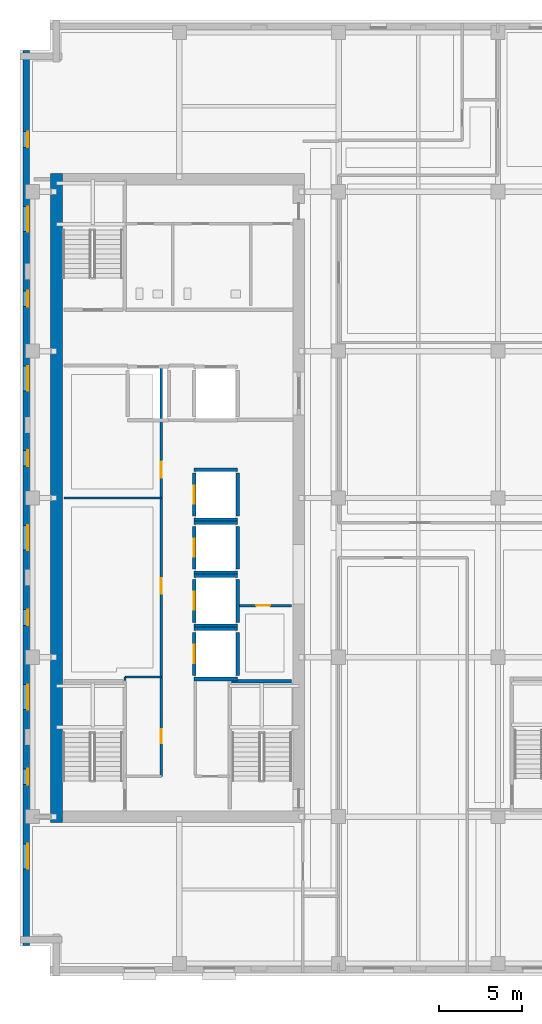
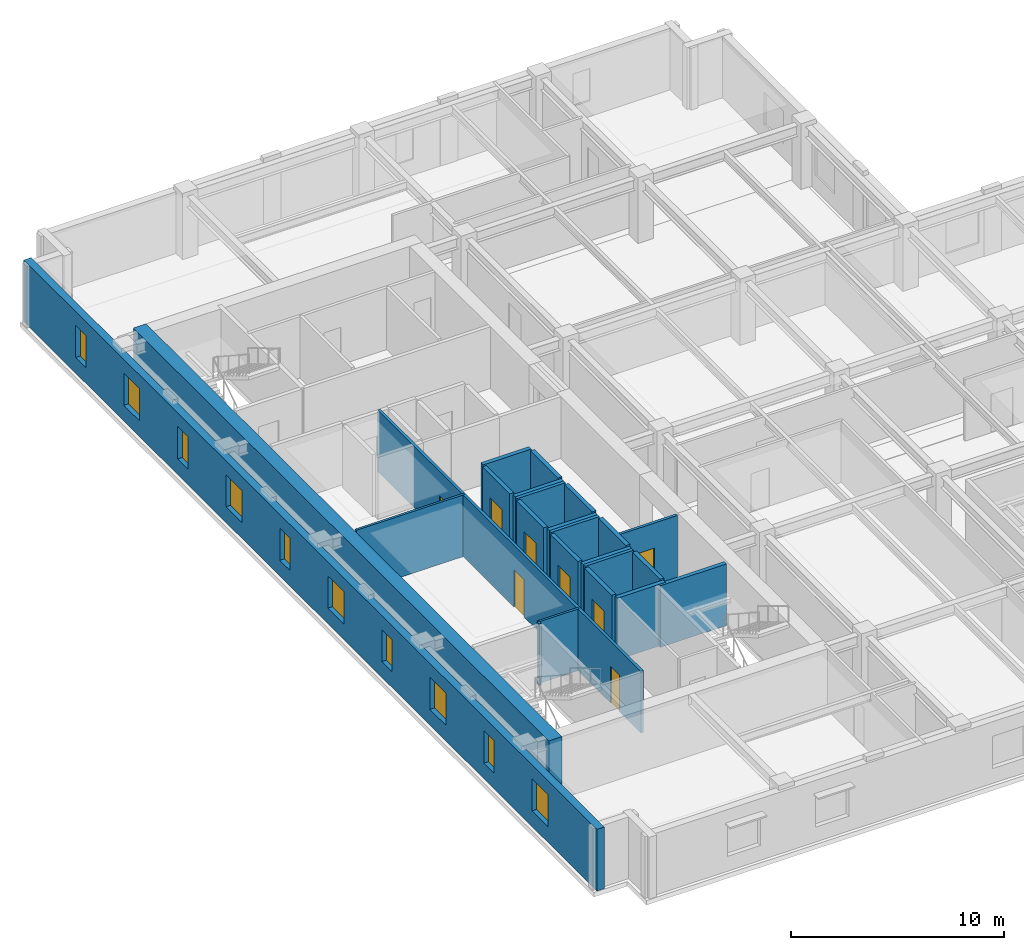
# One storey, part 4 of 14: 24 walls, 10 windows, 8 doors, 18 openings.
"""IFC4 building model written with IfcOpenShell, lengths in metres."""

from ifc_helpers import new_model, si_unit, direction, frame, frame_2d, origin, place, context, subcontext, project, spatial, rectangle, extrude, material, layer, layer_set, type_object, element, fill, save


model = new_model("IFC4")

# Units and contexts
model_context = context("Model", 3, precision=1e-05, world=origin(), true_north=direction((0.0, 1.0)))
body_context = subcontext(model_context, "Body", "Model", "MODEL_VIEW")
ifc_project = project(units=[si_unit("LENGTHUNIT", "METRE"), si_unit("AREAUNIT", "SQUARE_METRE"), si_unit("VOLUMEUNIT", "CUBIC_METRE"), si_unit("PLANEANGLEUNIT", "RADIAN"), si_unit("MASSUNIT", "GRAM", prefix="KILO")], contexts=[model_context])

# Site, building, storey
site_placement = place(None, origin())
site = spatial("IfcSite", under=ifc_project, at=site_placement, CompositionType="ELEMENT")
building_placement = place(site_placement, origin())
building = spatial("IfcBuilding", under=site, at=building_placement, Name="Norrvale University Quadrangle", CompositionType="ELEMENT")
storey_placement = place(building_placement, frame((0.0, 0.0, 214.199951171875)))
storey = spatial("IfcBuildingStorey", under=building, at=storey_placement, Name="L54", CompositionType="ELEMENT", Elevation=214.199951171875)

# Walls
ifc_material_1 = material(Name="Concrete C60/75", Category="concrete")
ifc_layer_1 = layer(ifc_material_1, 0.699951171875, Name="Concrete C60/75")
ifc_layer_set_1 = layer_set([ifc_layer_1], Name="Concrete C60/75")
wall_type_1 = type_object("IfcWallType", Name="Wall Core 700", PredefinedType="SHEAR", material=ifc_layer_set_1)
wall_1_placement = place(storey_placement, frame((2.199951171875, 9.25, 0.0), z_axis=(0.0, 0.0, 1.0), x_axis=(0.0, 1.0, 0.0)))
element("IfcWall", 1, at=wall_1_placement, inside=storey, type_object=wall_type_1, Name="Tower Core Shear Wall L54-W", PredefinedType="SHEAR", context=body_context, shape_type="SweptSolid", body=[
    extrude(rectangle(XDim=39.10009765625, YDim=0.699951171875, at=frame_2d((19.550048828125, 0.0))), origin(), (0.0, 0.0, 1.0), 3.5400390625),
])
ifc_material_2 = material(Name="Standard Academic Gypsum Partition")
ifc_layer_2 = layer(ifc_material_2, 0.125, Name="Standard Academic Gypsum Partition")
ifc_layer_set_2 = layer_set([ifc_layer_2], Name="Standard Academic Gypsum Partition")
wall_type_2 = type_object("IfcWallType", Name="Wall Gypsum Academic 125", PredefinedType="PARTITIONING", material=ifc_layer_set_2)
wall_2_placement = place(storey_placement, frame((6.320068359375, 17.800048828125, 0.0), z_axis=(0.0, 0.0, 1.0), x_axis=(0.0, 1.0, 0.0)))
element("IfcWall", 2, at=wall_2_placement, inside=storey, type_object=wall_type_2, Name="Interior Partition WL-L54-REC-L1", PredefinedType="PARTITIONING", context=body_context, shape_type="SweptSolid", body=[
    extrude(rectangle(XDim=0.199951171875, YDim=0.125, at=frame_2d((0.10009765625, 0.0))), origin(), (0.0, 0.0, 1.0), 3.5400390625),
])
wall_3_placement = place(storey_placement, frame((6.320068359375, 18.0, 0.0), z_axis=(0.0, 0.0, 1.0), x_axis=(1.0, 0.0, 0.0)))
element("IfcWall", 3, at=wall_3_placement, inside=storey, type_object=wall_type_2, Name="Interior Partition WL-L54-REC-L2", PredefinedType="PARTITIONING", context=body_context, shape_type="SweptSolid", body=[
    extrude(rectangle(XDim=2.199951171875, YDim=0.125, at=frame_2d((1.10009765625, 0.0))), origin(), (0.0, 0.0, 1.0), 3.5400390625),
])
wall_4_placement = place(storey_placement, frame((2.64990234375, 28.800048828125, 0.0), z_axis=(0.0, 0.0, 1.0), x_axis=(1.0, 0.0, 0.0)))
element("IfcWall", 4, at=wall_4_placement, inside=storey, type_object=wall_type_2, Name="Interior Partition WL-L54-REC-M2", PredefinedType="PARTITIONING", context=body_context, shape_type="SweptSolid", body=[
    extrude(rectangle(XDim=5.8701171875, YDim=0.125, at=frame_2d((2.93505859375, 0.0))), origin(), (0.0, 0.0, 1.0), 3.5400390625),
])

# Wall, opening, door
ifc_material_3 = material(Name="Fire-Rated Gypsum Stud Partition")
ifc_layer_3 = layer(ifc_material_3, 0.14990234375, Name="Fire-Rated Gypsum Stud Partition")
ifc_layer_set_3 = layer_set([ifc_layer_3], Name="Fire-Rated Gypsum Stud Partition")
wall_type_3 = type_object("IfcWallType", Name="Wall Gypsum Corridor 150", PredefinedType="PARTITIONING", material=ifc_layer_set_3)
wall_5_placement = place(storey_placement, frame((13.22509765625, 22.320068359375, 0.0), z_axis=(0.0, 0.0, 1.0), x_axis=(1.0, 0.0, 0.0)))
wall_5 = element("IfcWall", 5, at=wall_5_placement, inside=storey, type_object=wall_type_3, Name="Interior Partition WL-L54-JAN-N", PredefinedType="PARTITIONING", context=body_context, shape_type="SweptSolid", body=[
    extrude(rectangle(XDim=3.119873046875, YDim=0.14990234375, at=frame_2d((1.56005859375, 0.0))), origin(), (0.0, 0.0, 1.0), 3.5400390625),
])
opening_1_placement = place(wall_5_placement, frame((1.0, 0.0, 0.0)))
opening_1 = element("IfcOpeningElement", 6, at=opening_1_placement, cuts=wall_5, Name="Opening D10", PredefinedType="OPENING", context=body_context, shape_type="SweptSolid", body=[
    extrude(rectangle(XDim=0.85009765625, YDim=2.10009765625, at=frame_2d((0.425048828125, 1.050048828125))), frame((0.0, 0.0869140625, 0.0), z_axis=(0.0, -1.0, 0.0), x_axis=(1.0, 0.0, 0.0)), (0.0, 0.0, 1.0), 0.173828125),
])
ifc_material_4 = material(Name="Hollow Steel 350W Riser Fire Door", Category="steel")
door_type_1 = type_object("IfcDoorType", Name="Door Riser 850x2100", OperationType="NOTDEFINED", PredefinedType="DOOR", material=ifc_material_4)
door_1_placement = place(opening_1_placement, origin())
door_1 = element("IfcDoor", 7, at=door_1_placement, inside=storey, type_object=door_type_1, Name="Door Riser 850x2100 DR-L54-JAN", OperationType="SINGLE_SWING_LEFT", OverallHeight=2.10009765625, OverallWidth=0.85009765625, PredefinedType="DOOR", context=body_context, shape_type="SweptSolid", body=[
    extrude(rectangle(XDim=0.85009765625, YDim=2.10009765625, at=frame_2d((0.425048828125, 1.050048828125))), frame((0.0, 0.02490234375, 0.0), z_axis=(0.0, -1.0, 0.0), x_axis=(1.0, 0.0, 0.0)), (0.0, 0.0, 1.0), 0.050048828125),
])
fill(opening_1, door_1)

# Wall, openings, doors
wall_6_placement = place(storey_placement, frame((8.52001953125, 12.02001953125, 0.0), z_axis=(0.0, 0.0, 1.0), x_axis=(0.0, 1.0, 0.0)))
wall_6 = element("IfcWall", 8, at=wall_6_placement, inside=storey, type_object=wall_type_3, Name="Interior Partition WL-L54-REC-E", PredefinedType="PARTITIONING", context=body_context, shape_type="SweptSolid", body=[
    extrude(rectangle(XDim=24.760009765625, YDim=0.14990234375, at=frame_2d((12.3798828125, 0.0))), origin(), (0.0, 0.0, 1.0), 3.5400390625),
])
opening_2_placement = place(wall_6_placement, frame((2.0, 0.0, 0.0)))
opening_2 = element("IfcOpeningElement", 9, at=opening_2_placement, cuts=wall_6, Name="Opening D10", PredefinedType="OPENING", context=body_context, shape_type="SweptSolid", body=[
    extrude(rectangle(XDim=0.85009765625, YDim=2.10009765625, at=frame_2d((0.425048828125, 1.050048828125))), frame((0.0, 0.0869140625, 0.0), z_axis=(0.0, -1.0, 0.0), x_axis=(1.0, 0.0, 0.0)), (0.0, 0.0, 1.0), 0.173828125),
])
opening_3_placement = place(wall_6_placement, frame((11.0, 0.0, 0.0)))
opening_3 = element("IfcOpeningElement", 10, at=opening_3_placement, cuts=wall_6, Name="Opening D07", PredefinedType="OPENING", context=body_context, shape_type="SweptSolid", body=[
    extrude(rectangle(XDim=0.949951171875, YDim=2.14990234375, at=frame_2d((0.47509765625, 1.074951171875))), frame((0.0, 0.0869140625, 0.0), z_axis=(0.0, -1.0, 0.0), x_axis=(1.0, 0.0, 0.0)), (0.0, 0.0, 1.0), 0.173828125),
])
opening_4_placement = place(wall_6_placement, frame((18.0, 0.0, 0.0)))
opening_4 = element("IfcOpeningElement", 11, at=opening_4_placement, cuts=wall_6, Name="Opening D07", PredefinedType="OPENING", context=body_context, shape_type="SweptSolid", body=[
    extrude(rectangle(XDim=0.949951171875, YDim=2.14990234375, at=frame_2d((0.47509765625, 1.074951171875))), frame((0.0, 0.0869140625, 0.0), z_axis=(0.0, -1.0, 0.0), x_axis=(1.0, 0.0, 0.0)), (0.0, 0.0, 1.0), 0.173828125),
])
ifc_material_5 = material(Name="Solid-Core Maple Door", Category="wood")
door_type_2 = type_object("IfcDoorType", Name="Door Office 950x2150", OperationType="NOTDEFINED", PredefinedType="DOOR", material=ifc_material_5)
door_2_placement = place(opening_3_placement, origin())
door_2 = element("IfcDoor", 12, at=door_2_placement, inside=storey, type_object=door_type_2, Name="Door Office 950x2150 DR-L54-REC2", OperationType="SINGLE_SWING_RIGHT", OverallHeight=2.14990234375, OverallWidth=0.949951171875, PredefinedType="DOOR", context=body_context, shape_type="SweptSolid", body=[
    extrude(rectangle(XDim=0.949951171875, YDim=2.14990234375, at=frame_2d((0.47509765625, 1.074951171875))), frame((0.0, 0.02490234375, 0.0), z_axis=(0.0, -1.0, 0.0), x_axis=(1.0, 0.0, 0.0)), (0.0, 0.0, 1.0), 0.050048828125),
])
fill(opening_3, door_2)
door_3_placement = place(opening_4_placement, origin())
door_3 = element("IfcDoor", 13, at=door_3_placement, inside=storey, type_object=door_type_2, Name="Door Office 950x2150 DR-L54-REC3", OperationType="SINGLE_SWING_LEFT", OverallHeight=2.14990234375, OverallWidth=0.949951171875, PredefinedType="DOOR", context=body_context, shape_type="SweptSolid", body=[
    extrude(rectangle(XDim=0.949951171875, YDim=2.14990234375, at=frame_2d((0.47509765625, 1.074951171875))), frame((0.0, 0.02490234375, 0.0), z_axis=(0.0, -1.0, 0.0), x_axis=(1.0, 0.0, 0.0)), (0.0, 0.0, 1.0), 0.050048828125),
])
fill(opening_4, door_3)
door_4_placement = place(opening_2_placement, origin())
door_4 = element("IfcDoor", 14, at=door_4_placement, inside=storey, type_object=door_type_1, Name="Door Riser 850x2100 DR-L54-REC1", OperationType="SINGLE_SWING_LEFT", OverallHeight=2.10009765625, OverallWidth=0.85009765625, PredefinedType="DOOR", context=body_context, shape_type="SweptSolid", body=[
    extrude(rectangle(XDim=0.85009765625, YDim=2.10009765625, at=frame_2d((0.425048828125, 1.050048828125))), frame((0.0, 0.02490234375, 0.0), z_axis=(0.0, -1.0, 0.0), x_axis=(1.0, 0.0, 0.0)), (0.0, 0.0, 1.0), 0.050048828125),
])
fill(opening_2, door_4)

# Wall, openings, windows
ifc_material_6 = material(Name="Red Manganese Brick Masonry", Category="masonry")
ifc_layer_4 = layer(ifc_material_6, 0.39990234375, Name="Red Manganese Brick Masonry")
ifc_layer_set_4 = layer_set([ifc_layer_4], Name="Red Manganese Brick Masonry")
wall_type_4 = type_object("IfcWallType", Name="Wall Red Brick 400", PredefinedType="SOLIDWALL", material=ifc_layer_set_4)
wall_7_placement = place(storey_placement, frame((0.3798828125, 55.760009765625, 0.0), z_axis=(0.0, 0.0, 1.0), x_axis=(0.0, -1.0, 0.0)))
wall_7 = element("IfcWall", 15, at=wall_7_placement, inside=storey, type_object=wall_type_4, Name="Exterior Brick Facade Wall L54-14.1", PredefinedType="SOLIDWALL", context=body_context, shape_type="SweptSolid", body=[
    extrude(rectangle(XDim=53.919921875, YDim=0.39990234375, at=frame_2d((26.9599609375, 0.0))), origin(), (0.0, 0.0, 1.0), 3.5400390625),
])
opening_5_placement = place(wall_7_placement, frame((4.885009765625, 0.0, 0.89990234375)))
opening_5 = element("IfcOpeningElement", 16, at=opening_5_placement, cuts=wall_7, Name="Opening W04", PredefinedType="OPENING", context=body_context, shape_type="SweptSolid", body=[
    extrude(rectangle(XDim=0.949951171875, YDim=1.85009765625, at=frame_2d((0.47509765625, 0.925048828125))), frame((0.0, 0.2119140625, 0.0), z_axis=(0.0, -1.0, 0.0), x_axis=(1.0, 0.0, 0.0)), (0.0, 0.0, 1.0), 0.423828125),
])
opening_6_placement = place(wall_7_placement, frame((9.409912109375, 0.0, 0.89990234375)))
opening_6 = element("IfcOpeningElement", 17, at=opening_6_placement, cuts=wall_7, Name="Opening W03", PredefinedType="OPENING", context=body_context, shape_type="SweptSolid", body=[
    extrude(rectangle(XDim=1.5, YDim=1.85009765625, at=frame_2d((0.75, 0.925048828125))), frame((0.0, 0.2119140625, 0.0), z_axis=(0.0, -1.0, 0.0), x_axis=(1.0, 0.0, 0.0)), (0.0, 0.0, 1.0), 0.423828125),
])
opening_7_placement = place(wall_7_placement, frame((14.485107421875, 0.0, 0.89990234375)))
opening_7 = element("IfcOpeningElement", 18, at=opening_7_placement, cuts=wall_7, Name="Opening W04", PredefinedType="OPENING", context=body_context, shape_type="SweptSolid", body=[
    extrude(rectangle(XDim=0.949951171875, YDim=1.85009765625, at=frame_2d((0.47509765625, 0.925048828125))), frame((0.0, 0.2119140625, 0.0), z_axis=(0.0, -1.0, 0.0), x_axis=(1.0, 0.0, 0.0)), (0.0, 0.0, 1.0), 0.423828125),
])
opening_8_placement = place(wall_7_placement, frame((19.010009765625, 0.0, 0.89990234375)))
opening_8 = element("IfcOpeningElement", 19, at=opening_8_placement, cuts=wall_7, Name="Opening W03", PredefinedType="OPENING", context=body_context, shape_type="SweptSolid", body=[
    extrude(rectangle(XDim=1.5, YDim=1.85009765625, at=frame_2d((0.75, 0.925048828125))), frame((0.0, 0.2119140625, 0.0), z_axis=(0.0, -1.0, 0.0), x_axis=(1.0, 0.0, 0.0)), (0.0, 0.0, 1.0), 0.423828125),
])
opening_9_placement = place(wall_7_placement, frame((24.0849609375, 0.0, 0.89990234375)))
opening_9 = element("IfcOpeningElement", 20, at=opening_9_placement, cuts=wall_7, Name="Opening W04", PredefinedType="OPENING", context=body_context, shape_type="SweptSolid", body=[
    extrude(rectangle(XDim=0.949951171875, YDim=1.85009765625, at=frame_2d((0.47509765625, 0.925048828125))), frame((0.0, 0.2119140625, 0.0), z_axis=(0.0, -1.0, 0.0), x_axis=(1.0, 0.0, 0.0)), (0.0, 0.0, 1.0), 0.423828125),
])
opening_10_placement = place(wall_7_placement, frame((28.610107421875, 0.0, 0.89990234375)))
opening_10 = element("IfcOpeningElement", 21, at=opening_10_placement, cuts=wall_7, Name="Opening W03", PredefinedType="OPENING", context=body_context, shape_type="SweptSolid", body=[
    extrude(rectangle(XDim=1.5, YDim=1.85009765625, at=frame_2d((0.75, 0.925048828125))), frame((0.0, 0.2119140625, 0.0), z_axis=(0.0, -1.0, 0.0), x_axis=(1.0, 0.0, 0.0)), (0.0, 0.0, 1.0), 0.423828125),
])
opening_11_placement = place(wall_7_placement, frame((33.68505859375, 0.0, 0.89990234375)))
opening_11 = element("IfcOpeningElement", 22, at=opening_11_placement, cuts=wall_7, Name="Opening W04", PredefinedType="OPENING", context=body_context, shape_type="SweptSolid", body=[
    extrude(rectangle(XDim=0.949951171875, YDim=1.85009765625, at=frame_2d((0.47509765625, 0.925048828125))), frame((0.0, 0.2119140625, 0.0), z_axis=(0.0, -1.0, 0.0), x_axis=(1.0, 0.0, 0.0)), (0.0, 0.0, 1.0), 0.423828125),
])
opening_12_placement = place(wall_7_placement, frame((38.2099609375, 0.0, 0.89990234375)))
opening_12 = element("IfcOpeningElement", 23, at=opening_12_placement, cuts=wall_7, Name="Opening W03", PredefinedType="OPENING", context=body_context, shape_type="SweptSolid", body=[
    extrude(rectangle(XDim=1.5, YDim=1.85009765625, at=frame_2d((0.75, 0.925048828125))), frame((0.0, 0.2119140625, 0.0), z_axis=(0.0, -1.0, 0.0), x_axis=(1.0, 0.0, 0.0)), (0.0, 0.0, 1.0), 0.423828125),
])
opening_13_placement = place(wall_7_placement, frame((43.284912109375, 0.0, 0.89990234375)))
opening_13 = element("IfcOpeningElement", 24, at=opening_13_placement, cuts=wall_7, Name="Opening W04", PredefinedType="OPENING", context=body_context, shape_type="SweptSolid", body=[
    extrude(rectangle(XDim=0.949951171875, YDim=1.85009765625, at=frame_2d((0.47509765625, 0.925048828125))), frame((0.0, 0.2119140625, 0.0), z_axis=(0.0, -1.0, 0.0), x_axis=(1.0, 0.0, 0.0)), (0.0, 0.0, 1.0), 0.423828125),
])
opening_14_placement = place(wall_7_placement, frame((47.81005859375, 0.0, 0.89990234375)))
opening_14 = element("IfcOpeningElement", 25, at=opening_14_placement, cuts=wall_7, Name="Opening W03", PredefinedType="OPENING", context=body_context, shape_type="SweptSolid", body=[
    extrude(rectangle(XDim=1.5, YDim=1.85009765625, at=frame_2d((0.75, 0.925048828125))), frame((0.0, 0.2119140625, 0.0), z_axis=(0.0, -1.0, 0.0), x_axis=(1.0, 0.0, 0.0)), (0.0, 0.0, 1.0), 0.423828125),
])
ifc_material_7 = material(Name="Triple Low-E Argon Glazing", Category="glass")
window_type_1 = type_object("IfcWindowType", Name="Window Narrow Pier 950x2300", PartitioningType="SINGLE_PANEL", PredefinedType="WINDOW", material=ifc_material_7)
window_1_placement = place(opening_5_placement, origin())
window_1 = element("IfcWindow", 26, at=window_1_placement, inside=storey, type_object=window_type_1, Name="Window Narrow Pier 950x2300 WIN-L54-E14-1-01", OverallHeight=1.85009765625, OverallWidth=0.949951171875, PartitioningType="SINGLE_PANEL", PredefinedType="WINDOW", context=body_context, shape_type="SweptSolid", body=[
    extrude(rectangle(XDim=0.949951171875, YDim=1.85009765625, at=frame_2d((0.47509765625, 0.925048828125))), frame((0.0, 0.110107421875, 0.0), z_axis=(0.0, -1.0, 0.0), x_axis=(1.0, 0.0, 0.0)), (0.0, 0.0, 1.0), 0.06005859375),
])
fill(opening_5, window_1)
window_2_placement = place(opening_7_placement, origin())
window_2 = element("IfcWindow", 27, at=window_2_placement, inside=storey, type_object=window_type_1, Name="Window Narrow Pier 950x2300 WIN-L54-E14-1-03", OverallHeight=1.85009765625, OverallWidth=0.949951171875, PartitioningType="SINGLE_PANEL", PredefinedType="WINDOW", context=body_context, shape_type="SweptSolid", body=[
    extrude(rectangle(XDim=0.949951171875, YDim=1.85009765625, at=frame_2d((0.47509765625, 0.925048828125))), frame((0.0, 0.110107421875, 0.0), z_axis=(0.0, -1.0, 0.0), x_axis=(1.0, 0.0, 0.0)), (0.0, 0.0, 1.0), 0.06005859375),
])
fill(opening_7, window_2)
window_3_placement = place(opening_9_placement, origin())
window_3 = element("IfcWindow", 28, at=window_3_placement, inside=storey, type_object=window_type_1, Name="Window Narrow Pier 950x2300 WIN-L54-E14-1-05", OverallHeight=1.85009765625, OverallWidth=0.949951171875, PartitioningType="SINGLE_PANEL", PredefinedType="WINDOW", context=body_context, shape_type="SweptSolid", body=[
    extrude(rectangle(XDim=0.949951171875, YDim=1.85009765625, at=frame_2d((0.47509765625, 0.925048828125))), frame((0.0, 0.110107421875, 0.0), z_axis=(0.0, -1.0, 0.0), x_axis=(1.0, 0.0, 0.0)), (0.0, 0.0, 1.0), 0.06005859375),
])
fill(opening_9, window_3)
window_4_placement = place(opening_11_placement, origin())
window_4 = element("IfcWindow", 29, at=window_4_placement, inside=storey, type_object=window_type_1, Name="Window Narrow Pier 950x2300 WIN-L54-E14-1-07", OverallHeight=1.85009765625, OverallWidth=0.949951171875, PartitioningType="SINGLE_PANEL", PredefinedType="WINDOW", context=body_context, shape_type="SweptSolid", body=[
    extrude(rectangle(XDim=0.949951171875, YDim=1.85009765625, at=frame_2d((0.47509765625, 0.925048828125))), frame((0.0, 0.110107421875, 0.0), z_axis=(0.0, -1.0, 0.0), x_axis=(1.0, 0.0, 0.0)), (0.0, 0.0, 1.0), 0.06005859375),
])
fill(opening_11, window_4)
window_5_placement = place(opening_13_placement, origin())
window_5 = element("IfcWindow", 30, at=window_5_placement, inside=storey, type_object=window_type_1, Name="Window Narrow Pier 950x2300 WIN-L54-E14-1-09", OverallHeight=1.85009765625, OverallWidth=0.949951171875, PartitioningType="SINGLE_PANEL", PredefinedType="WINDOW", context=body_context, shape_type="SweptSolid", body=[
    extrude(rectangle(XDim=0.949951171875, YDim=1.85009765625, at=frame_2d((0.47509765625, 0.925048828125))), frame((0.0, 0.110107421875, 0.0), z_axis=(0.0, -1.0, 0.0), x_axis=(1.0, 0.0, 0.0)), (0.0, 0.0, 1.0), 0.06005859375),
])
fill(opening_13, window_5)
window_type_2 = type_object("IfcWindowType", Name="Window Studio 1500x2300", PartitioningType="DOUBLE_PANEL_VERTICAL", PredefinedType="WINDOW", material=ifc_material_7)
window_6_placement = place(opening_6_placement, origin())
window_6 = element("IfcWindow", 31, at=window_6_placement, inside=storey, type_object=window_type_2, Name="Window Studio 1500x2300 WIN-L54-E14-1-02", OverallHeight=1.85009765625, OverallWidth=1.5, PartitioningType="DOUBLE_PANEL_VERTICAL", PredefinedType="WINDOW", context=body_context, shape_type="SweptSolid", body=[
    extrude(rectangle(XDim=1.5, YDim=1.85009765625, at=frame_2d((0.75, 0.925048828125))), frame((0.0, 0.110107421875, 0.0), z_axis=(0.0, -1.0, 0.0), x_axis=(1.0, 0.0, 0.0)), (0.0, 0.0, 1.0), 0.06005859375),
])
fill(opening_6, window_6)
window_7_placement = place(opening_8_placement, origin())
window_7 = element("IfcWindow", 32, at=window_7_placement, inside=storey, type_object=window_type_2, Name="Window Studio 1500x2300 WIN-L54-E14-1-04", OverallHeight=1.85009765625, OverallWidth=1.5, PartitioningType="DOUBLE_PANEL_VERTICAL", PredefinedType="WINDOW", context=body_context, shape_type="SweptSolid", body=[
    extrude(rectangle(XDim=1.5, YDim=1.85009765625, at=frame_2d((0.75, 0.925048828125))), frame((0.0, 0.110107421875, 0.0), z_axis=(0.0, -1.0, 0.0), x_axis=(1.0, 0.0, 0.0)), (0.0, 0.0, 1.0), 0.06005859375),
])
fill(opening_8, window_7)
window_8_placement = place(opening_10_placement, origin())
window_8 = element("IfcWindow", 33, at=window_8_placement, inside=storey, type_object=window_type_2, Name="Window Studio 1500x2300 WIN-L54-E14-1-06", OverallHeight=1.85009765625, OverallWidth=1.5, PartitioningType="DOUBLE_PANEL_VERTICAL", PredefinedType="WINDOW", context=body_context, shape_type="SweptSolid", body=[
    extrude(rectangle(XDim=1.5, YDim=1.85009765625, at=frame_2d((0.75, 0.925048828125))), frame((0.0, 0.110107421875, 0.0), z_axis=(0.0, -1.0, 0.0), x_axis=(1.0, 0.0, 0.0)), (0.0, 0.0, 1.0), 0.06005859375),
])
fill(opening_10, window_8)
window_9_placement = place(opening_12_placement, origin())
window_9 = element("IfcWindow", 34, at=window_9_placement, inside=storey, type_object=window_type_2, Name="Window Studio 1500x2300 WIN-L54-E14-1-08", OverallHeight=1.85009765625, OverallWidth=1.5, PartitioningType="DOUBLE_PANEL_VERTICAL", PredefinedType="WINDOW", context=body_context, shape_type="SweptSolid", body=[
    extrude(rectangle(XDim=1.5, YDim=1.85009765625, at=frame_2d((0.75, 0.925048828125))), frame((0.0, 0.110107421875, 0.0), z_axis=(0.0, -1.0, 0.0), x_axis=(1.0, 0.0, 0.0)), (0.0, 0.0, 1.0), 0.06005859375),
])
fill(opening_12, window_9)
window_10_placement = place(opening_14_placement, origin())
window_10 = element("IfcWindow", 35, at=window_10_placement, inside=storey, type_object=window_type_2, Name="Window Studio 1500x2300 WIN-L54-E14-1-10", OverallHeight=1.85009765625, OverallWidth=1.5, PartitioningType="DOUBLE_PANEL_VERTICAL", PredefinedType="WINDOW", context=body_context, shape_type="SweptSolid", body=[
    extrude(rectangle(XDim=1.5, YDim=1.85009765625, at=frame_2d((0.75, 0.925048828125))), frame((0.0, 0.110107421875, 0.0), z_axis=(0.0, -1.0, 0.0), x_axis=(1.0, 0.0, 0.0)), (0.0, 0.0, 1.0), 0.06005859375),
])
fill(opening_14, window_10)

# Wall
ifc_material_8 = material(Name="Concrete Blockwork 20 MPa Fire Shaft", Category="masonry")
ifc_layer_5 = layer(ifc_material_8, 0.219970703125, Name="Concrete Blockwork 20 MPa Fire Shaft")
ifc_layer_set_5 = layer_set([ifc_layer_5], Name="Concrete Blockwork 20 MPa Fire Shaft")
wall_type_5 = type_object("IfcWallType", Name="Wall Shaft 220", PredefinedType="SOLIDWALL", material=ifc_layer_set_5)
wall_8_placement = place(storey_placement, frame((12.75, 17.760009765625, 0.0), z_axis=(0.0, 0.0, 1.0), x_axis=(1.0, 0.0, 0.0)))
element("IfcWall", 36, at=wall_8_placement, inside=storey, type_object=wall_type_5, Name="Stair ST-03 North Shaft Wall L54", PredefinedType="SOLIDWALL", context=body_context, shape_type="SweptSolid", body=[
    extrude(rectangle(XDim=3.60009765625, YDim=0.219970703125, at=frame_2d((1.800048828125, 0.0))), origin(), (0.0, 0.0, 1.0), 3.5400390625),
])

# Wall, opening, door
wall_9_placement = place(storey_placement, frame((10.489990234375, 18.110107421875, 0.0), z_axis=(0.0, 0.0, 1.0), x_axis=(0.0, 1.0, 0.0)))
wall_9 = element("IfcWall", 37, at=wall_9_placement, inside=storey, type_object=wall_type_5, Name="Hoistway PL-05 West Wall L54", PredefinedType="SOLIDWALL", context=body_context, shape_type="SweptSolid", body=[
    extrude(rectangle(XDim=2.579833984375, YDim=0.219970703125, at=frame_2d((1.2900390625, 0.0))), origin(), (0.0, 0.0, 1.0), 3.5400390625),
])
opening_15_placement = place(wall_9_placement, frame((0.739990234375, 0.0, 0.0)))
opening_15 = element("IfcOpeningElement", 38, at=opening_15_placement, cuts=wall_9, Name="Opening LD1", PredefinedType="OPENING", context=body_context, shape_type="SweptSolid", body=[
    extrude(rectangle(XDim=1.10009765625, YDim=2.199951171875, at=frame_2d((0.550048828125, 1.10009765625))), frame((0.0, 0.1220703125, 0.0), z_axis=(0.0, -1.0, 0.0), x_axis=(1.0, 0.0, 0.0)), (0.0, 0.0, 1.0), 0.243896484375),
])
ifc_material_9 = material(Name="Stainless Steel 316L Lift Landing Door", Category="steel")
door_type_3 = type_object("IfcDoorType", Name="Door Lift Landing 1100x2200", OperationType="DOUBLE_DOOR_SLIDING", PredefinedType="DOOR", material=ifc_material_9)
door_5_placement = place(opening_15_placement, origin())
door_5 = element("IfcDoor", 39, at=door_5_placement, inside=storey, type_object=door_type_3, Name="Elevator Landing Door DR-L54-PL-05", OperationType="DOUBLE_DOOR_SLIDING", OverallHeight=2.199951171875, OverallWidth=1.10009765625, PredefinedType="DOOR", context=body_context, shape_type="SweptSolid", body=[
    extrude(rectangle(XDim=1.10009765625, YDim=2.199951171875, at=frame_2d((0.550048828125, 1.10009765625))), frame((0.0, 0.02490234375, 0.0), z_axis=(0.0, -1.0, 0.0), x_axis=(1.0, 0.0, 0.0)), (0.0, 0.0, 1.0), 0.050048828125),
])
fill(opening_15, door_5)

# Walls
wall_10_placement = place(storey_placement, frame((13.110107421875, 18.110107421875, 0.0), z_axis=(0.0, 0.0, 1.0), x_axis=(0.0, 1.0, 0.0)))
element("IfcWall", 40, at=wall_10_placement, inside=storey, type_object=wall_type_5, Name="Hoistway PL-05 East Wall L54", PredefinedType="SOLIDWALL", context=body_context, shape_type="SweptSolid", body=[
    extrude(rectangle(XDim=2.579833984375, YDim=0.219970703125, at=frame_2d((1.2900390625, 0.0))), origin(), (0.0, 0.0, 1.0), 3.5400390625),
])
for number, where, z_axis, x_axis, name in (
    (41, (10.489990234375, 17.889892578125, 0.0), (0.0, 0.0, 1.0), (1.0, 0.0, 0.0), "Hoistway PL-05 South Wall L54"),
    (42, (10.489990234375, 20.909912109375, 0.0), (0.0, 0.0, 1.0), (1.0, 0.0, 0.0), "Hoistway PL-05 North Wall L54"),
):
    element("IfcWall", number, at=place(storey_placement, frame(where, z_axis=z_axis, x_axis=x_axis)), inside=storey, type_object=wall_type_5, Name=name, PredefinedType="SOLIDWALL", context=body_context, shape_type="SweptSolid", body=[
        extrude(rectangle(XDim=2.6201171875, YDim=0.219970703125, at=frame_2d((1.31005859375, 0.0))), origin(), (0.0, 0.0, 1.0), 3.5400390625),
    ])

# Wall, opening, door
wall_11_placement = place(storey_placement, frame((10.489990234375, 21.31005859375, 0.0), z_axis=(0.0, 0.0, 1.0), x_axis=(0.0, 1.0, 0.0)))
wall_11 = element("IfcWall", 43, at=wall_11_placement, inside=storey, type_object=wall_type_5, Name="Hoistway PL-06 West Wall L54", PredefinedType="SOLIDWALL", context=body_context, shape_type="SweptSolid", body=[
    extrude(rectangle(XDim=2.579833984375, YDim=0.219970703125, at=frame_2d((1.2900390625, 0.0))), origin(), (0.0, 0.0, 1.0), 3.5400390625),
])
opening_16_placement = place(wall_11_placement, frame((0.739990234375, 0.0, 0.0)))
opening_16 = element("IfcOpeningElement", 44, at=opening_16_placement, cuts=wall_11, Name="Opening LD1", PredefinedType="OPENING", context=body_context, shape_type="SweptSolid", body=[
    extrude(rectangle(XDim=1.10009765625, YDim=2.199951171875, at=frame_2d((0.550048828125, 1.10009765625))), frame((0.0, 0.1220703125, 0.0), z_axis=(0.0, -1.0, 0.0), x_axis=(1.0, 0.0, 0.0)), (0.0, 0.0, 1.0), 0.243896484375),
])
door_6_placement = place(opening_16_placement, origin())
door_6 = element("IfcDoor", 45, at=door_6_placement, inside=storey, type_object=door_type_3, Name="Elevator Landing Door DR-L54-PL-06", OperationType="DOUBLE_DOOR_SLIDING", OverallHeight=2.199951171875, OverallWidth=1.10009765625, PredefinedType="DOOR", context=body_context, shape_type="SweptSolid", body=[
    extrude(rectangle(XDim=1.10009765625, YDim=2.199951171875, at=frame_2d((0.550048828125, 1.10009765625))), frame((0.0, 0.02490234375, 0.0), z_axis=(0.0, -1.0, 0.0), x_axis=(1.0, 0.0, 0.0)), (0.0, 0.0, 1.0), 0.050048828125),
])
fill(opening_16, door_6)

# Walls
wall_12_placement = place(storey_placement, frame((13.110107421875, 21.31005859375, 0.0), z_axis=(0.0, 0.0, 1.0), x_axis=(0.0, 1.0, 0.0)))
element("IfcWall", 46, at=wall_12_placement, inside=storey, type_object=wall_type_5, Name="Hoistway PL-06 East Wall L54", PredefinedType="SOLIDWALL", context=body_context, shape_type="SweptSolid", body=[
    extrude(rectangle(XDim=2.579833984375, YDim=0.219970703125, at=frame_2d((1.2900390625, 0.0))), origin(), (0.0, 0.0, 1.0), 3.5400390625),
])
for number, where, z_axis, x_axis, name in (
    (47, (10.489990234375, 21.090087890625, 0.0), (0.0, 0.0, 1.0), (1.0, 0.0, 0.0), "Hoistway PL-06 South Wall L54"),
    (48, (10.489990234375, 24.110107421875, 0.0), (0.0, 0.0, 1.0), (1.0, 0.0, 0.0), "Hoistway PL-06 North Wall L54"),
):
    element("IfcWall", number, at=place(storey_placement, frame(where, z_axis=z_axis, x_axis=x_axis)), inside=storey, type_object=wall_type_5, Name=name, PredefinedType="SOLIDWALL", context=body_context, shape_type="SweptSolid", body=[
        extrude(rectangle(XDim=2.6201171875, YDim=0.219970703125, at=frame_2d((1.31005859375, 0.0))), origin(), (0.0, 0.0, 1.0), 3.5400390625),
    ])

# Wall, opening, door
wall_13_placement = place(storey_placement, frame((10.489990234375, 24.510009765625, 0.0), z_axis=(0.0, 0.0, 1.0), x_axis=(0.0, 1.0, 0.0)))
wall_13 = element("IfcWall", 49, at=wall_13_placement, inside=storey, type_object=wall_type_5, Name="Hoistway PL-07 West Wall L54", PredefinedType="SOLIDWALL", context=body_context, shape_type="SweptSolid", body=[
    extrude(rectangle(XDim=2.580078125, YDim=0.219970703125, at=frame_2d((1.2900390625, 0.0))), origin(), (0.0, 0.0, 1.0), 3.5400390625),
])
opening_17_placement = place(wall_13_placement, frame((0.739990234375, 0.0, 0.0)))
opening_17 = element("IfcOpeningElement", 50, at=opening_17_placement, cuts=wall_13, Name="Opening LD1", PredefinedType="OPENING", context=body_context, shape_type="SweptSolid", body=[
    extrude(rectangle(XDim=1.10009765625, YDim=2.199951171875, at=frame_2d((0.550048828125, 1.10009765625))), frame((0.0, 0.1220703125, 0.0), z_axis=(0.0, -1.0, 0.0), x_axis=(1.0, 0.0, 0.0)), (0.0, 0.0, 1.0), 0.243896484375),
])
door_7_placement = place(opening_17_placement, origin())
door_7 = element("IfcDoor", 51, at=door_7_placement, inside=storey, type_object=door_type_3, Name="Elevator Landing Door DR-L54-PL-07", OperationType="DOUBLE_DOOR_SLIDING", OverallHeight=2.199951171875, OverallWidth=1.10009765625, PredefinedType="DOOR", context=body_context, shape_type="SweptSolid", body=[
    extrude(rectangle(XDim=1.10009765625, YDim=2.199951171875, at=frame_2d((0.550048828125, 1.10009765625))), frame((0.0, 0.02490234375, 0.0), z_axis=(0.0, -1.0, 0.0), x_axis=(1.0, 0.0, 0.0)), (0.0, 0.0, 1.0), 0.050048828125),
])
fill(opening_17, door_7)

# Walls
wall_14_placement = place(storey_placement, frame((13.110107421875, 24.510009765625, 0.0), z_axis=(0.0, 0.0, 1.0), x_axis=(0.0, 1.0, 0.0)))
element("IfcWall", 52, at=wall_14_placement, inside=storey, type_object=wall_type_5, Name="Hoistway PL-07 East Wall L54", PredefinedType="SOLIDWALL", context=body_context, shape_type="SweptSolid", body=[
    extrude(rectangle(XDim=2.580078125, YDim=0.219970703125, at=frame_2d((1.2900390625, 0.0))), origin(), (0.0, 0.0, 1.0), 3.5400390625),
])
for number, where, z_axis, x_axis, name in (
    (53, (10.489990234375, 24.2900390625, 0.0), (0.0, 0.0, 1.0), (1.0, 0.0, 0.0), "Hoistway PL-07 South Wall L54"),
    (54, (10.489990234375, 27.31005859375, 0.0), (0.0, 0.0, 1.0), (1.0, 0.0, 0.0), "Hoistway PL-07 North Wall L54"),
):
    element("IfcWall", number, at=place(storey_placement, frame(where, z_axis=z_axis, x_axis=x_axis)), inside=storey, type_object=wall_type_5, Name=name, PredefinedType="SOLIDWALL", context=body_context, shape_type="SweptSolid", body=[
        extrude(rectangle(XDim=2.6201171875, YDim=0.219970703125, at=frame_2d((1.31005859375, 0.0))), origin(), (0.0, 0.0, 1.0), 3.5400390625),
    ])

# Wall, opening, door
wall_15_placement = place(storey_placement, frame((10.489990234375, 27.7099609375, 0.0), z_axis=(0.0, 0.0, 1.0), x_axis=(0.0, 1.0, 0.0)))
wall_15 = element("IfcWall", 55, at=wall_15_placement, inside=storey, type_object=wall_type_5, Name="Hoistway PL-08 West Wall L54", PredefinedType="SOLIDWALL", context=body_context, shape_type="SweptSolid", body=[
    extrude(rectangle(XDim=2.580078125, YDim=0.219970703125, at=frame_2d((1.2900390625, 0.0))), origin(), (0.0, 0.0, 1.0), 3.5400390625),
])
opening_18_placement = place(wall_15_placement, frame((0.739990234375, 0.0, 0.0)))
opening_18 = element("IfcOpeningElement", 56, at=opening_18_placement, cuts=wall_15, Name="Opening LD1", PredefinedType="OPENING", context=body_context, shape_type="SweptSolid", body=[
    extrude(rectangle(XDim=1.10009765625, YDim=2.199951171875, at=frame_2d((0.550048828125, 1.10009765625))), frame((0.0, 0.1220703125, 0.0), z_axis=(0.0, -1.0, 0.0), x_axis=(1.0, 0.0, 0.0)), (0.0, 0.0, 1.0), 0.243896484375),
])
door_8_placement = place(opening_18_placement, origin())
door_8 = element("IfcDoor", 57, at=door_8_placement, inside=storey, type_object=door_type_3, Name="Elevator Landing Door DR-L54-PL-08", OperationType="DOUBLE_DOOR_SLIDING", OverallHeight=2.199951171875, OverallWidth=1.10009765625, PredefinedType="DOOR", context=body_context, shape_type="SweptSolid", body=[
    extrude(rectangle(XDim=1.10009765625, YDim=2.199951171875, at=frame_2d((0.550048828125, 1.10009765625))), frame((0.0, 0.02490234375, 0.0), z_axis=(0.0, -1.0, 0.0), x_axis=(1.0, 0.0, 0.0)), (0.0, 0.0, 1.0), 0.050048828125),
])
fill(opening_18, door_8)

# Walls
wall_16_placement = place(storey_placement, frame((13.110107421875, 27.7099609375, 0.0), z_axis=(0.0, 0.0, 1.0), x_axis=(0.0, 1.0, 0.0)))
element("IfcWall", 58, at=wall_16_placement, inside=storey, type_object=wall_type_5, Name="Hoistway PL-08 East Wall L54", PredefinedType="SOLIDWALL", context=body_context, shape_type="SweptSolid", body=[
    extrude(rectangle(XDim=2.580078125, YDim=0.219970703125, at=frame_2d((1.2900390625, 0.0))), origin(), (0.0, 0.0, 1.0), 3.5400390625),
])
for number, where, z_axis, x_axis, name in (
    (59, (10.489990234375, 27.489990234375, 0.0), (0.0, 0.0, 1.0), (1.0, 0.0, 0.0), "Hoistway PL-08 South Wall L54"),
    (60, (10.489990234375, 30.510009765625, 0.0), (0.0, 0.0, 1.0), (1.0, 0.0, 0.0), "Hoistway PL-08 North Wall L54"),
):
    element("IfcWall", number, at=place(storey_placement, frame(where, z_axis=z_axis, x_axis=x_axis)), inside=storey, type_object=wall_type_5, Name=name, PredefinedType="SOLIDWALL", context=body_context, shape_type="SweptSolid", body=[
        extrude(rectangle(XDim=2.6201171875, YDim=0.219970703125, at=frame_2d((1.31005859375, 0.0))), origin(), (0.0, 0.0, 1.0), 3.5400390625),
    ])

save(model, "model.ifc")
